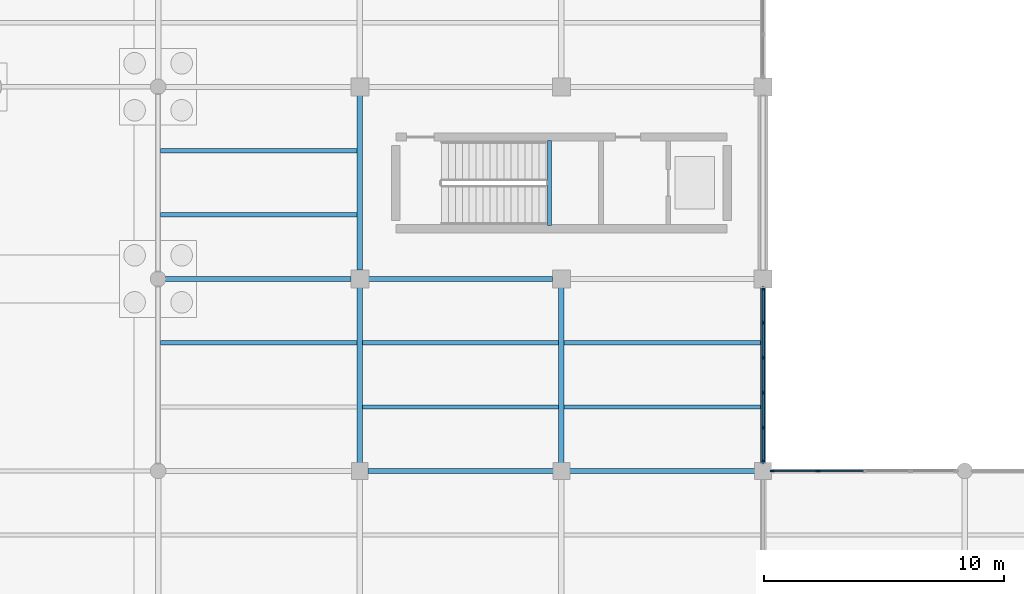
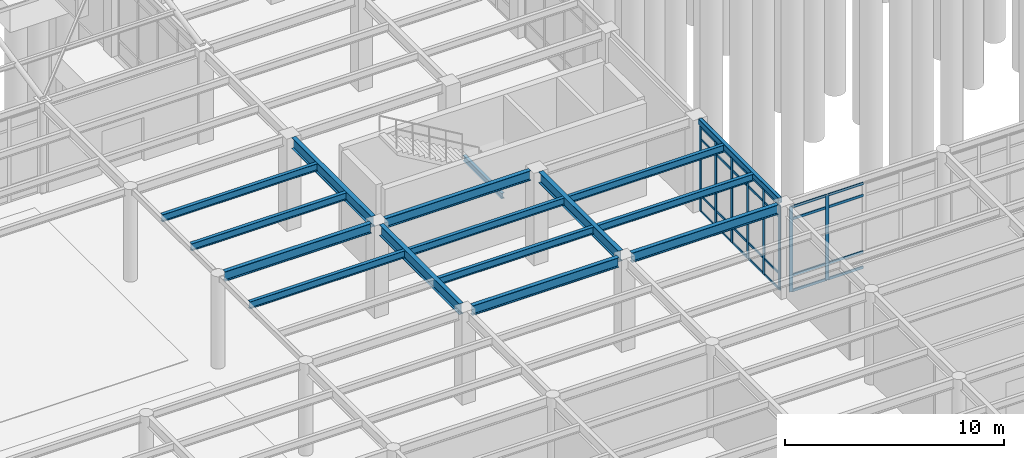
# One storey, part 46 of 138: 36 members, 16 beams, 2 elements without a shape of their own.
"""IFC4 building model written with IfcOpenShell, lengths in metres."""

import ifcopenshell
import ifcopenshell.guid

model = None  # the IFC model being written
_history = None  # IfcOwnerHistory: only IFC2X3 demands one
_inside = {}  # id of a spatial element -> (the spatial element, [elements in it])
_under = {}  # id of a project, library or spatial element -> (it, [spatial elements below it])
_declared = {}  # id of a project -> (the project, [libraries it declares])
_typed = {}  # id of a type object -> (the type object, [elements of that type])
_made_of = {}  # id of a material, layer set ... -> (it, [elements and type objects made of it])


def new_model(schema):
    """Start an empty IFC model of exactly this schema.

    Asked for "IFC4X3", IfcOpenShell would pick the latest addendum, in which some entities
    have other attributes; the version numbers below select the first issue.
    IFC2X3 requires an IfcOwnerHistory on every rooted entity: one is made here for all.
    """
    global model, _history
    if schema == "IFC4X3":
        model = ifcopenshell.file(schema_version=(4, 3, 0, 0))
    else:
        model = ifcopenshell.file(schema=schema)
    _inside.clear()
    _under.clear()
    _declared.clear()
    _typed.clear()
    _made_of.clear()
    _history = None
    if model.schema == "IFC2X3":
        org = make("IfcOrganization", Name="unknown")
        user = make(
            "IfcPersonAndOrganization",
            ThePerson=make("IfcPerson", FamilyName="unknown"),
            TheOrganization=org,
        )
        app = make(
            "IfcApplication",
            ApplicationDeveloper=org,
            Version="unknown",
            ApplicationFullName="unknown",
            ApplicationIdentifier="unknown",
        )
        _history = make(
            "IfcOwnerHistory",
            OwningUser=user,
            OwningApplication=app,
            ChangeAction="ADDED",
            CreationDate=0,
        )
    return model


def make(cls, **values):
    """One entity of the class cls with the attributes given. An attribute that is None is left unset."""
    return model.create_entity(
        cls, **{name: value for name, value in values.items() if value is not None}
    )


def rooted(cls, **values):
    """An entity with a GlobalId (a new one), such as an element, a storey or a relation."""
    return make(cls, GlobalId=ifcopenshell.guid.new(), OwnerHistory=_history, **values)


def si_unit(unit_type, name, prefix=None):
    """IfcSIUnit, for example si_unit("LENGTHUNIT", "METRE", prefix="MILLI")."""
    return make("IfcSIUnit", UnitType=unit_type, Prefix=prefix, Name=name)


def assignment(units):
    """IfcUnitAssignment: the units of a project."""
    return None if units is None else make("IfcUnitAssignment", Units=units)


def point(xyz):
    """IfcCartesianPoint."""
    return None if xyz is None else make("IfcCartesianPoint", Coordinates=xyz)


def direction(xyz):
    """IfcDirection."""
    return None if xyz is None else make("IfcDirection", DirectionRatios=xyz)


def frame(location, z_axis=None, x_axis=None):
    """IfcAxis2Placement3D, a coordinate frame: its origin and axes. An axis left out is left unset."""
    return make(
        "IfcAxis2Placement3D",
        Location=point(location),
        Axis=direction(z_axis),
        RefDirection=direction(x_axis),
    )


def frame_2d(location, x_axis=None):
    """IfcAxis2Placement2D, a coordinate frame in the plane: its origin and x axis."""
    return make(
        "IfcAxis2Placement2D", Location=point(location), RefDirection=direction(x_axis)
    )


def origin():
    """The frame at (0, 0, 0) with its axes left unset."""
    return frame((0.0, 0.0, 0.0))


def origin_2d():
    """The frame at (0, 0) in the plane with its x axis left unset."""
    return frame_2d((0.0, 0.0))


def place(relative_to, where):
    """IfcLocalPlacement: puts the frame where relative to a parent placement (None: the world)."""
    return make(
        "IfcLocalPlacement", PlacementRelTo=relative_to, RelativePlacement=where
    )


def context(
    kind, dimensions, precision=None, world=None, true_north=None, identifier=None
):
    """IfcGeometricRepresentationContext, for example the 3D "Model" context."""
    return make(
        "IfcGeometricRepresentationContext",
        ContextIdentifier=identifier,
        ContextType=kind,
        CoordinateSpaceDimension=dimensions,
        Precision=precision,
        WorldCoordinateSystem=world,
        TrueNorth=true_north,
    )


def subcontext(parent, identifier, kind, view, scale=None):
    """IfcGeometricRepresentationSubContext, for example "Body" below "Model"."""
    return make(
        "IfcGeometricRepresentationSubContext",
        ContextIdentifier=identifier,
        ContextType=kind,
        ParentContext=parent,
        TargetScale=scale,
        TargetView=view,
    )


def project(units=None, contexts=None):
    """IfcProject with its units and contexts."""
    return rooted(
        "IfcProject",
        Name="project",
        RepresentationContexts=contexts,
        UnitsInContext=assignment(units),
    )


def spatial(cls, under=None, at=None, **own):
    """A site, building, storey or space (cls), placed at a placement, below another one or the project."""
    s = rooted(cls, ObjectPlacement=at, **own)
    if under is not None:
        _under.setdefault(under.id(), (under, []))[1].append(s)
    return s


def profile(cls, at=None, kind="AREA", **sizes):
    """A parametric profile (cls). Its sizes go by their IFC names, for example OverallWidth=200.0."""
    return make(cls, ProfileType=kind, Position=at, **sizes)


def rectangle(**sizes):
    """IfcRectangleProfileDef."""
    return profile("IfcRectangleProfileDef", **sizes)


def hollow_rectangle(**sizes):
    """IfcRectangleHollowProfileDef."""
    return profile("IfcRectangleHollowProfileDef", **sizes)


def i_section(**sizes):
    """IfcIShapeProfileDef."""
    return profile("IfcIShapeProfileDef", **sizes)


def extrude(swept, where, along, depth):
    """IfcExtrudedAreaSolid: the profile swept, set in the frame where, extruded along a direction by depth."""
    return make(
        "IfcExtrudedAreaSolid",
        SweptArea=swept,
        Position=where,
        ExtrudedDirection=direction(along),
        Depth=depth,
    )


def shape(context_of_items, identifier, shape_type, items):
    """IfcShapeRepresentation: the items that make up one representation, for example the "Body"."""
    return make(
        "IfcShapeRepresentation",
        ContextOfItems=context_of_items,
        RepresentationIdentifier=identifier,
        RepresentationType=shape_type,
        Items=items,
    )


def material(Name=None, Category=None):
    """IfcMaterial."""
    return make("IfcMaterial", Name=Name, Category=Category)


def layer(
    of_material, thickness, ventilated=None, Name=None, Category=None, Priority=None
):
    """IfcMaterialLayer: one layer of a wall or slab, of a material (None: an air gap)."""
    return make(
        "IfcMaterialLayer",
        Material=of_material,
        LayerThickness=thickness,
        IsVentilated=ventilated,
        Name=Name,
        Category=Category,
        Priority=Priority,
    )


def layer_set(layers, Name=None):
    """IfcMaterialLayerSet."""
    return make("IfcMaterialLayerSet", MaterialLayers=layers, LayerSetName=Name)


def material_profile(
    of_material, cross_section, Name=None, Category=None, Priority=None
):
    """IfcMaterialProfile: a cross section and its material."""
    return make(
        "IfcMaterialProfile",
        Name=Name,
        Material=of_material,
        Profile=cross_section,
        Priority=Priority,
        Category=Category,
    )


def profile_set(profiles, Name=None, composite=None):
    """IfcMaterialProfileSet."""
    return make(
        "IfcMaterialProfileSet",
        Name=Name,
        MaterialProfiles=profiles,
        CompositeProfile=composite,
    )


def made_of(thing, what):
    """Note that an element or type object is made of a material, layer set ...; save() writes the relation."""
    if what is not None:
        _made_of.setdefault(what.id(), (what, []))[1].append(thing)
    return thing


def type_object(cls, material=None, **own):
    """A type object (cls), such as IfcWallType, which elements share."""
    return made_of(rooted(cls, **own), material)


def element(
    cls,
    number,
    at=None,
    inside=None,
    cuts=None,
    type_object=None,
    material=None,
    context=None,
    identifier="Body",
    shape_type=None,
    held_by="IfcProductDefinitionShape",
    body=None,
    shapes=None,
    **own,
):
    """One element of the class cls, such as IfcWall. Its Tag is "e" and its number.

    at: its placement. inside: the storey or other place that contains it. cuts: it is an
    opening in that element (IfcRelVoidsElement). A single representation is given by context,
    identifier, shape_type and body (its items); several are given by shapes. held_by: the class
    of the entity that holds the representations. save() writes the other relations.
    """
    e = rooted(cls, Tag="e%d" % number, ObjectPlacement=at, **own)
    if body is not None:
        shapes = [shape(context, identifier, shape_type, body)]
    if shapes is not None:
        e.Representation = make(held_by, Representations=shapes)
    if inside is not None:
        _inside.setdefault(inside.id(), (inside, []))[1].append(e)
    if cuts is not None:
        rooted(
            "IfcRelVoidsElement", RelatingBuildingElement=cuts, RelatedOpeningElement=e
        )
    if type_object is not None:
        _typed.setdefault(type_object.id(), (type_object, []))[1].append(e)
    return made_of(e, material)


def aggregate(whole, parts):
    """IfcRelAggregates: a whole, such as a stair, and the parts it consists of."""
    return rooted("IfcRelAggregates", RelatingObject=whole, RelatedObjects=parts)


def save(model, path):
    """Write the relations noted so far, then the file.

    IfcRelAggregates (storeys below a building ...), IfcRelContainedInSpatialStructure (elements
    in a storey), IfcRelDefinesByType, IfcRelAssociatesMaterial and IfcRelDeclares: one each for
    every whole, place, type object, material and project.
    """
    for whole, parts in _under.values():
        aggregate(whole, parts)
    for where, things in _inside.values():
        rooted(
            "IfcRelContainedInSpatialStructure",
            RelatedElements=things,
            RelatingStructure=where,
        )
    for kind, things in _typed.values():
        rooted("IfcRelDefinesByType", RelatedObjects=things, RelatingType=kind)
    for what, things in _made_of.values():
        rooted("IfcRelAssociatesMaterial", RelatedObjects=things, RelatingMaterial=what)
    for by, libraries in _declared.values():
        rooted("IfcRelDeclares", RelatingContext=by, RelatedDefinitions=libraries)
    model.write(path)


model = new_model("IFC4")

# Units and contexts
model_context = context("Model", 3, precision=1e-05, world=origin(), true_north=direction((0.0, 1.0)))
body_context = subcontext(model_context, "Body", "Model", "MODEL_VIEW")
ifc_project = project(units=[si_unit("LENGTHUNIT", "METRE"), si_unit("AREAUNIT", "SQUARE_METRE"), si_unit("VOLUMEUNIT", "CUBIC_METRE"), si_unit("PLANEANGLEUNIT", "RADIAN"), si_unit("MASSUNIT", "GRAM", prefix="KILO")], contexts=[model_context])

# Site, building, storey
site_placement = place(None, origin())
site = spatial("IfcSite", under=ifc_project, at=site_placement, CompositionType="ELEMENT")
building_placement = place(site_placement, origin())
building = spatial("IfcBuilding", under=site, at=building_placement, Name="Kranzveld Transit Interchange", CompositionType="ELEMENT")
storey_placement = place(building_placement, origin())
storey = spatial("IfcBuildingStorey", under=building, at=storey_placement, Name="L00", CompositionType="ELEMENT", Elevation=0.0)

# Curtain wall, members
ifc_material_1 = material(Name="Bronze-anodised thermally broken aluminium", Category="aluminium")
ifc_layer_1 = layer(ifc_material_1, 0.1650390625)
ifc_layer_set_1 = layer_set([ifc_layer_1], Name="Bronze-anodised thermally broken aluminium")
curtain_wall_type_1 = type_object("IfcCurtainWallType", Name="Sunny Court Arcade Curtain Wall CW-2", PredefinedType="USERDEFINED", material=ifc_layer_set_1)
curtain_wall_1_placement = place(storey_placement, origin())
curtain_wall_1 = element("IfcCurtainWall", 1, at=curtain_wall_1_placement, inside=storey, type_object=curtain_wall_type_1, Name="L00 Curtain Wall 15/J-15/K", ObjectType="CURTAIN WALL", PredefinedType="USERDEFINED")
ifc_material_2 = material(Name="Bronze-anodised thermally broken aluminium", Category="aluminium")
ifc_material_profile_1 = material_profile(ifc_material_2, rectangle(XDim=0.06494140625, YDim=0.1650390625, at=origin_2d()), Name="ALU MULLION 65x165")
ifc_profile_set_1 = profile_set([ifc_material_profile_1], Name="Bronze-anodised thermally broken aluminium")
member_type_1 = type_object("IfcMemberType", Name="Curtain Wall Mullion 65x165 Alu", PredefinedType="MULLION", material=ifc_profile_set_1)
member_1_placement = place(storey_placement, frame((117.60009765625, 64.382568359375, 0.0), z_axis=(0.0, 0.0, 1.0), x_axis=(-1.0, 0.0, 0.0)))
member_1 = element("IfcMember", 2, at=member_1_placement, type_object=member_type_1, Name="CW-2 mullion 1", PredefinedType="MULLION", context=body_context, shape_type="SweptSolid", body=[
    extrude(rectangle(XDim=0.06494140625, YDim=0.1650390625, at=origin_2d()), origin(), (0.0, 0.0, 1.0), 4.747314453125),
])
member_2_placement = place(storey_placement, frame((117.60009765625, 65.804931640625, 0.0), z_axis=(0.0, 0.0, 1.0), x_axis=(-1.0, 0.0, 0.0)))
member_2 = element("IfcMember", 3, at=member_2_placement, type_object=member_type_1, Name="CW-2 mullion 2", PredefinedType="MULLION", context=body_context, shape_type="SweptSolid", body=[
    extrude(rectangle(XDim=0.06494140625, YDim=0.1650390625, at=origin_2d()), origin(), (0.0, 0.0, 1.0), 4.747314453125),
])
member_3_placement = place(storey_placement, frame((117.60009765625, 67.260009765625, 0.0), z_axis=(0.0, 0.0, 1.0), x_axis=(-1.0, 0.0, 0.0)))
member_3 = element("IfcMember", 4, at=member_3_placement, type_object=member_type_1, Name="CW-2 mullion 3", PredefinedType="MULLION", context=body_context, shape_type="SweptSolid", body=[
    extrude(rectangle(XDim=0.06494140625, YDim=0.1650390625, at=origin_2d()), origin(), (0.0, 0.0, 1.0), 4.747314453125),
])
member_4_placement = place(storey_placement, frame((117.60009765625, 68.715087890625, 0.0), z_axis=(0.0, 0.0, 1.0), x_axis=(-1.0, 0.0, 0.0)))
member_4 = element("IfcMember", 5, at=member_4_placement, type_object=member_type_1, Name="CW-2 mullion 4", PredefinedType="MULLION", context=body_context, shape_type="SweptSolid", body=[
    extrude(rectangle(XDim=0.06494140625, YDim=0.1650390625, at=origin_2d()), origin(), (0.0, 0.0, 1.0), 4.747314453125),
])
member_5_placement = place(storey_placement, frame((117.60009765625, 70.169921875, 0.0), z_axis=(0.0, 0.0, 1.0), x_axis=(-1.0, 0.0, 0.0)))
member_5 = element("IfcMember", 6, at=member_5_placement, type_object=member_type_1, Name="CW-2 mullion 5", PredefinedType="MULLION", context=body_context, shape_type="SweptSolid", body=[
    extrude(rectangle(XDim=0.06494140625, YDim=0.1650390625, at=origin_2d()), origin(), (0.0, 0.0, 1.0), 4.747314453125),
])
member_6_placement = place(storey_placement, frame((117.60009765625, 71.592529296875, 0.0), z_axis=(0.0, 0.0, 1.0), x_axis=(-1.0, 0.0, 0.0)))
member_6 = element("IfcMember", 7, at=member_6_placement, type_object=member_type_1, Name="CW-2 mullion 6", PredefinedType="MULLION", context=body_context, shape_type="SweptSolid", body=[
    extrude(rectangle(XDim=0.06494140625, YDim=0.1650390625, at=origin_2d()), origin(), (0.0, 0.0, 1.0), 4.747314453125),
])

ifc_material_3 = material(Name="Bronze-anodised thermally broken aluminium", Category="aluminium")
ifc_layer_2 = layer(ifc_material_3, 0.18505859375)
ifc_layer_set_2 = layer_set([ifc_layer_2], Name="Bronze-anodised thermally broken aluminium")
curtain_wall_type_2 = type_object("IfcCurtainWallType", Name="Control Crown Observation Facade CW-5", PredefinedType="USERDEFINED", material=ifc_layer_set_2)
curtain_wall_2_placement = place(storey_placement, origin())
curtain_wall_2 = element("IfcCurtainWall", 8, at=curtain_wall_2_placement, inside=storey, type_object=curtain_wall_type_2, Name="L00 Curtain Wall 15/J-16/J", ObjectType="CURTAIN WALL", PredefinedType="USERDEFINED")
ifc_material_4 = material(Name="Bronze-anodised thermally broken aluminium", Category="aluminium")
ifc_material_profile_2 = material_profile(ifc_material_4, rectangle(XDim=0.06494140625, YDim=0.179931640625, at=origin_2d()), Name="ALU MULLION 65x180")
ifc_profile_set_2 = profile_set([ifc_material_profile_2], Name="Bronze-anodised thermally broken aluminium")
member_type_2 = type_object("IfcMemberType", Name="Curtain Wall Mullion 65x180 Alu", PredefinedType="MULLION", material=ifc_profile_set_2)
member_7_placement = place(storey_placement, frame((117.982421875, 64.0, 0.0), z_axis=(0.0, 0.0, 1.0), x_axis=(0.0, 1.0, 0.0)))
member_7 = element("IfcMember", 9, at=member_7_placement, type_object=member_type_2, Name="CW-5 mullion 1", PredefinedType="MULLION", context=body_context, shape_type="SweptSolid", body=[
    extrude(rectangle(XDim=0.06494140625, YDim=0.179931640625, at=origin_2d()), origin(), (0.0, 0.0, 1.0), 4.740478515625),
])
member_8_placement = place(storey_placement, frame((119.88134765625, 64.0, 0.0), z_axis=(0.0, 0.0, 1.0), x_axis=(0.0, 1.0, 0.0)))
member_8 = element("IfcMember", 10, at=member_8_placement, type_object=member_type_2, Name="CW-5 mullion 2", PredefinedType="MULLION", context=body_context, shape_type="SweptSolid", body=[
    extrude(rectangle(XDim=0.06494140625, YDim=0.179931640625, at=origin_2d()), origin(), (0.0, 0.0, 1.0), 4.740478515625),
])

# Member
ifc_material_5 = material(Name="Bronze-anodised thermally broken aluminium", Category="aluminium")
ifc_material_profile_3 = material_profile(ifc_material_5, rectangle(XDim=0.06005859375, YDim=0.125, at=origin_2d()), Name="ALU TRANSOM 60x125")
ifc_profile_set_3 = profile_set([ifc_material_profile_3], Name="Bronze-anodised thermally broken aluminium")
member_type_3 = type_object("IfcMemberType", Name="Curtain Wall Transom 60x125 Alu", PredefinedType="USERDEFINED", material=ifc_profile_set_3)
member_9_placement = place(storey_placement, frame((117.60009765625, 64.4150390625, 0.030029296875), z_axis=(0.0, 1.0, 0.0), x_axis=(-1.0, 0.0, 0.0)))
member_9 = element("IfcMember", 11, at=member_9_placement, type_object=member_type_3, Name="CW-2 transom 1.1", ObjectType="TRANSOM", PredefinedType="USERDEFINED", context=body_context, shape_type="SweptSolid", body=[
    extrude(rectangle(XDim=0.06005859375, YDim=0.125, at=origin_2d()), origin(), (0.0, 0.0, 1.0), 1.357421875),
])

member_10_placement = place(storey_placement, frame((117.60009765625, 64.4150390625, 0.89990234375), z_axis=(0.0, 1.0, 0.0), x_axis=(-1.0, 0.0, 0.0)))
member_10 = element("IfcMember", 12, at=member_10_placement, type_object=member_type_3, Name="CW-2 transom 1.2", ObjectType="TRANSOM", PredefinedType="USERDEFINED", context=body_context, shape_type="SweptSolid", body=[
    extrude(rectangle(XDim=0.06005859375, YDim=0.125, at=origin_2d()), origin(), (0.0, 0.0, 1.0), 1.357421875),
])

member_11_placement = place(storey_placement, frame((117.60009765625, 64.4150390625, 4.04736328125), z_axis=(0.0, 1.0, 0.0), x_axis=(-1.0, 0.0, 0.0)))
member_11 = element("IfcMember", 13, at=member_11_placement, type_object=member_type_3, Name="CW-2 transom 1.3", ObjectType="TRANSOM", PredefinedType="USERDEFINED", context=body_context, shape_type="SweptSolid", body=[
    extrude(rectangle(XDim=0.06005859375, YDim=0.125, at=origin_2d()), origin(), (0.0, 0.0, 1.0), 1.357421875),
])

member_12_placement = place(storey_placement, frame((117.60009765625, 64.4150390625, 4.71728515625), z_axis=(0.0, 1.0, 0.0), x_axis=(-1.0, 0.0, 0.0)))
member_12 = element("IfcMember", 14, at=member_12_placement, type_object=member_type_3, Name="CW-2 transom 1.4", ObjectType="TRANSOM", PredefinedType="USERDEFINED", context=body_context, shape_type="SweptSolid", body=[
    extrude(rectangle(XDim=0.06005859375, YDim=0.125, at=origin_2d()), origin(), (0.0, 0.0, 1.0), 1.357421875),
])

member_13_placement = place(storey_placement, frame((117.60009765625, 65.83740234375, 0.030029296875), z_axis=(0.0, 1.0, 0.0), x_axis=(-1.0, 0.0, 0.0)))
member_13 = element("IfcMember", 15, at=member_13_placement, type_object=member_type_3, Name="CW-2 transom 2.1", ObjectType="TRANSOM", PredefinedType="USERDEFINED", context=body_context, shape_type="SweptSolid", body=[
    extrude(rectangle(XDim=0.06005859375, YDim=0.125, at=origin_2d()), origin(), (0.0, 0.0, 1.0), 1.39013671875),
])

member_14_placement = place(storey_placement, frame((117.60009765625, 65.83740234375, 0.89990234375), z_axis=(0.0, 1.0, 0.0), x_axis=(-1.0, 0.0, 0.0)))
member_14 = element("IfcMember", 16, at=member_14_placement, type_object=member_type_3, Name="CW-2 transom 2.2", ObjectType="TRANSOM", PredefinedType="USERDEFINED", context=body_context, shape_type="SweptSolid", body=[
    extrude(rectangle(XDim=0.06005859375, YDim=0.125, at=origin_2d()), origin(), (0.0, 0.0, 1.0), 1.39013671875),
])

member_15_placement = place(storey_placement, frame((117.60009765625, 65.83740234375, 4.04736328125), z_axis=(0.0, 1.0, 0.0), x_axis=(-1.0, 0.0, 0.0)))
member_15 = element("IfcMember", 17, at=member_15_placement, type_object=member_type_3, Name="CW-2 transom 2.3", ObjectType="TRANSOM", PredefinedType="USERDEFINED", context=body_context, shape_type="SweptSolid", body=[
    extrude(rectangle(XDim=0.06005859375, YDim=0.125, at=origin_2d()), origin(), (0.0, 0.0, 1.0), 1.39013671875),
])

member_16_placement = place(storey_placement, frame((117.60009765625, 65.83740234375, 4.71728515625), z_axis=(0.0, 1.0, 0.0), x_axis=(-1.0, 0.0, 0.0)))
member_16 = element("IfcMember", 18, at=member_16_placement, type_object=member_type_3, Name="CW-2 transom 2.4", ObjectType="TRANSOM", PredefinedType="USERDEFINED", context=body_context, shape_type="SweptSolid", body=[
    extrude(rectangle(XDim=0.06005859375, YDim=0.125, at=origin_2d()), origin(), (0.0, 0.0, 1.0), 1.39013671875),
])

member_17_placement = place(storey_placement, frame((117.60009765625, 67.29248046875, 0.030029296875), z_axis=(0.0, 1.0, 0.0), x_axis=(-1.0, 0.0, 0.0)))
member_17 = element("IfcMember", 19, at=member_17_placement, type_object=member_type_3, Name="CW-2 transom 3.1", ObjectType="TRANSOM", PredefinedType="USERDEFINED", context=body_context, shape_type="SweptSolid", body=[
    extrude(rectangle(XDim=0.06005859375, YDim=0.125, at=origin_2d()), origin(), (0.0, 0.0, 1.0), 1.39013671875),
])

member_18_placement = place(storey_placement, frame((117.60009765625, 67.29248046875, 0.89990234375), z_axis=(0.0, 1.0, 0.0), x_axis=(-1.0, 0.0, 0.0)))
member_18 = element("IfcMember", 20, at=member_18_placement, type_object=member_type_3, Name="CW-2 transom 3.2", ObjectType="TRANSOM", PredefinedType="USERDEFINED", context=body_context, shape_type="SweptSolid", body=[
    extrude(rectangle(XDim=0.06005859375, YDim=0.125, at=origin_2d()), origin(), (0.0, 0.0, 1.0), 1.39013671875),
])

member_19_placement = place(storey_placement, frame((117.60009765625, 67.29248046875, 4.04736328125), z_axis=(0.0, 1.0, 0.0), x_axis=(-1.0, 0.0, 0.0)))
member_19 = element("IfcMember", 21, at=member_19_placement, type_object=member_type_3, Name="CW-2 transom 3.3", ObjectType="TRANSOM", PredefinedType="USERDEFINED", context=body_context, shape_type="SweptSolid", body=[
    extrude(rectangle(XDim=0.06005859375, YDim=0.125, at=origin_2d()), origin(), (0.0, 0.0, 1.0), 1.39013671875),
])

member_20_placement = place(storey_placement, frame((117.60009765625, 67.29248046875, 4.71728515625), z_axis=(0.0, 1.0, 0.0), x_axis=(-1.0, 0.0, 0.0)))
member_20 = element("IfcMember", 22, at=member_20_placement, type_object=member_type_3, Name="CW-2 transom 3.4", ObjectType="TRANSOM", PredefinedType="USERDEFINED", context=body_context, shape_type="SweptSolid", body=[
    extrude(rectangle(XDim=0.06005859375, YDim=0.125, at=origin_2d()), origin(), (0.0, 0.0, 1.0), 1.39013671875),
])

member_21_placement = place(storey_placement, frame((117.60009765625, 68.74755859375, 0.030029296875), z_axis=(0.0, 1.0, 0.0), x_axis=(-1.0, 0.0, 0.0)))
member_21 = element("IfcMember", 23, at=member_21_placement, type_object=member_type_3, Name="CW-2 transom 4.1", ObjectType="TRANSOM", PredefinedType="USERDEFINED", context=body_context, shape_type="SweptSolid", body=[
    extrude(rectangle(XDim=0.06005859375, YDim=0.125, at=origin_2d()), origin(), (0.0, 0.0, 1.0), 1.389892578125),
])

member_22_placement = place(storey_placement, frame((117.60009765625, 68.74755859375, 0.89990234375), z_axis=(0.0, 1.0, 0.0), x_axis=(-1.0, 0.0, 0.0)))
member_22 = element("IfcMember", 24, at=member_22_placement, type_object=member_type_3, Name="CW-2 transom 4.2", ObjectType="TRANSOM", PredefinedType="USERDEFINED", context=body_context, shape_type="SweptSolid", body=[
    extrude(rectangle(XDim=0.06005859375, YDim=0.125, at=origin_2d()), origin(), (0.0, 0.0, 1.0), 1.389892578125),
])

member_23_placement = place(storey_placement, frame((117.60009765625, 68.74755859375, 4.04736328125), z_axis=(0.0, 1.0, 0.0), x_axis=(-1.0, 0.0, 0.0)))
member_23 = element("IfcMember", 25, at=member_23_placement, type_object=member_type_3, Name="CW-2 transom 4.3", ObjectType="TRANSOM", PredefinedType="USERDEFINED", context=body_context, shape_type="SweptSolid", body=[
    extrude(rectangle(XDim=0.06005859375, YDim=0.125, at=origin_2d()), origin(), (0.0, 0.0, 1.0), 1.389892578125),
])

member_24_placement = place(storey_placement, frame((117.60009765625, 68.74755859375, 4.71728515625), z_axis=(0.0, 1.0, 0.0), x_axis=(-1.0, 0.0, 0.0)))
member_24 = element("IfcMember", 26, at=member_24_placement, type_object=member_type_3, Name="CW-2 transom 4.4", ObjectType="TRANSOM", PredefinedType="USERDEFINED", context=body_context, shape_type="SweptSolid", body=[
    extrude(rectangle(XDim=0.06005859375, YDim=0.125, at=origin_2d()), origin(), (0.0, 0.0, 1.0), 1.389892578125),
])

member_25_placement = place(storey_placement, frame((117.60009765625, 70.202392578125, 0.030029296875), z_axis=(0.0, 1.0, 0.0), x_axis=(-1.0, 0.0, 0.0)))
member_25 = element("IfcMember", 27, at=member_25_placement, type_object=member_type_3, Name="CW-2 transom 5.1", ObjectType="TRANSOM", PredefinedType="USERDEFINED", context=body_context, shape_type="SweptSolid", body=[
    extrude(rectangle(XDim=0.06005859375, YDim=0.125, at=origin_2d()), origin(), (0.0, 0.0, 1.0), 1.357666015625),
])

member_26_placement = place(storey_placement, frame((117.60009765625, 70.202392578125, 0.89990234375), z_axis=(0.0, 1.0, 0.0), x_axis=(-1.0, 0.0, 0.0)))
member_26 = element("IfcMember", 28, at=member_26_placement, type_object=member_type_3, Name="CW-2 transom 5.2", ObjectType="TRANSOM", PredefinedType="USERDEFINED", context=body_context, shape_type="SweptSolid", body=[
    extrude(rectangle(XDim=0.06005859375, YDim=0.125, at=origin_2d()), origin(), (0.0, 0.0, 1.0), 1.357666015625),
])

member_27_placement = place(storey_placement, frame((117.60009765625, 70.202392578125, 4.04736328125), z_axis=(0.0, 1.0, 0.0), x_axis=(-1.0, 0.0, 0.0)))
member_27 = element("IfcMember", 29, at=member_27_placement, type_object=member_type_3, Name="CW-2 transom 5.3", ObjectType="TRANSOM", PredefinedType="USERDEFINED", context=body_context, shape_type="SweptSolid", body=[
    extrude(rectangle(XDim=0.06005859375, YDim=0.125, at=origin_2d()), origin(), (0.0, 0.0, 1.0), 1.357666015625),
])

member_28_placement = place(storey_placement, frame((117.60009765625, 70.202392578125, 4.71728515625), z_axis=(0.0, 1.0, 0.0), x_axis=(-1.0, 0.0, 0.0)))
member_28 = element("IfcMember", 30, at=member_28_placement, type_object=member_type_3, Name="CW-2 transom 5.4", ObjectType="TRANSOM", PredefinedType="USERDEFINED", context=body_context, shape_type="SweptSolid", body=[
    extrude(rectangle(XDim=0.06005859375, YDim=0.125, at=origin_2d()), origin(), (0.0, 0.0, 1.0), 1.357666015625),
])

aggregate(curtain_wall_1, [member_1, member_2, member_3, member_4, member_5, member_6, member_9, member_10, member_11, member_12, member_13, member_14, member_15, member_16, member_17, member_18, member_19, member_20, member_21, member_22, member_23, member_24, member_25, member_26, member_27, member_28])

ifc_material_6 = material(Name="Bronze-anodised thermally broken aluminium", Category="aluminium")
ifc_material_profile_4 = material_profile(ifc_material_6, rectangle(XDim=0.06494140625, YDim=0.139892578125, at=origin_2d()), Name="ALU TRANSOM 65x140")
ifc_profile_set_4 = profile_set([ifc_material_profile_4], Name="Bronze-anodised thermally broken aluminium")
member_type_4 = type_object("IfcMemberType", Name="Curtain Wall Transom 65x140 Alu", PredefinedType="USERDEFINED", material=ifc_profile_set_4)
member_29_placement = place(storey_placement, frame((118.014892578125, 64.0, 0.032470703125), z_axis=(1.0, 0.0, 0.0), x_axis=(0.0, 1.0, 0.0)))
member_29 = element("IfcMember", 31, at=member_29_placement, type_object=member_type_4, Name="CW-5 transom 1.1", ObjectType="TRANSOM", PredefinedType="USERDEFINED", context=body_context, shape_type="SweptSolid", body=[
    extrude(rectangle(XDim=0.06494140625, YDim=0.139892578125, at=origin_2d()), origin(), (0.0, 0.0, 1.0), 1.833740234375),
])

member_30_placement = place(storey_placement, frame((118.014892578125, 64.0, 0.89990234375), z_axis=(1.0, 0.0, 0.0), x_axis=(0.0, 1.0, 0.0)))
member_30 = element("IfcMember", 32, at=member_30_placement, type_object=member_type_4, Name="CW-5 transom 1.2", ObjectType="TRANSOM", PredefinedType="USERDEFINED", context=body_context, shape_type="SweptSolid", body=[
    extrude(rectangle(XDim=0.06494140625, YDim=0.139892578125, at=origin_2d()), origin(), (0.0, 0.0, 1.0), 1.833740234375),
])

member_31_placement = place(storey_placement, frame((118.014892578125, 64.0, 4.04052734375), z_axis=(1.0, 0.0, 0.0), x_axis=(0.0, 1.0, 0.0)))
member_31 = element("IfcMember", 33, at=member_31_placement, type_object=member_type_4, Name="CW-5 transom 1.3", ObjectType="TRANSOM", PredefinedType="USERDEFINED", context=body_context, shape_type="SweptSolid", body=[
    extrude(rectangle(XDim=0.06494140625, YDim=0.139892578125, at=origin_2d()), origin(), (0.0, 0.0, 1.0), 1.833740234375),
])

member_32_placement = place(storey_placement, frame((118.014892578125, 64.0, 4.7080078125), z_axis=(1.0, 0.0, 0.0), x_axis=(0.0, 1.0, 0.0)))
member_32 = element("IfcMember", 34, at=member_32_placement, type_object=member_type_4, Name="CW-5 transom 1.4", ObjectType="TRANSOM", PredefinedType="USERDEFINED", context=body_context, shape_type="SweptSolid", body=[
    extrude(rectangle(XDim=0.06494140625, YDim=0.139892578125, at=origin_2d()), origin(), (0.0, 0.0, 1.0), 1.833740234375),
])

member_33_placement = place(storey_placement, frame((119.913818359375, 64.0, 0.032470703125), z_axis=(1.0, 0.0, 0.0), x_axis=(0.0, 1.0, 0.0)))
member_33 = element("IfcMember", 35, at=member_33_placement, type_object=member_type_4, Name="CW-5 transom 2.1", ObjectType="TRANSOM", PredefinedType="USERDEFINED", context=body_context, shape_type="SweptSolid", body=[
    extrude(rectangle(XDim=0.06494140625, YDim=0.139892578125, at=origin_2d()), origin(), (0.0, 0.0, 1.0), 1.8662109375),
])

member_34_placement = place(storey_placement, frame((119.913818359375, 64.0, 0.89990234375), z_axis=(1.0, 0.0, 0.0), x_axis=(0.0, 1.0, 0.0)))
member_34 = element("IfcMember", 36, at=member_34_placement, type_object=member_type_4, Name="CW-5 transom 2.2", ObjectType="TRANSOM", PredefinedType="USERDEFINED", context=body_context, shape_type="SweptSolid", body=[
    extrude(rectangle(XDim=0.06494140625, YDim=0.139892578125, at=origin_2d()), origin(), (0.0, 0.0, 1.0), 1.8662109375),
])

member_35_placement = place(storey_placement, frame((119.913818359375, 64.0, 4.04052734375), z_axis=(1.0, 0.0, 0.0), x_axis=(0.0, 1.0, 0.0)))
member_35 = element("IfcMember", 37, at=member_35_placement, type_object=member_type_4, Name="CW-5 transom 2.3", ObjectType="TRANSOM", PredefinedType="USERDEFINED", context=body_context, shape_type="SweptSolid", body=[
    extrude(rectangle(XDim=0.06494140625, YDim=0.139892578125, at=origin_2d()), origin(), (0.0, 0.0, 1.0), 1.8662109375),
])

member_36_placement = place(storey_placement, frame((119.913818359375, 64.0, 4.7080078125), z_axis=(1.0, 0.0, 0.0), x_axis=(0.0, 1.0, 0.0)))
member_36 = element("IfcMember", 38, at=member_36_placement, type_object=member_type_4, Name="CW-5 transom 2.4", ObjectType="TRANSOM", PredefinedType="USERDEFINED", context=body_context, shape_type="SweptSolid", body=[
    extrude(rectangle(XDim=0.06494140625, YDim=0.139892578125, at=origin_2d()), origin(), (0.0, 0.0, 1.0), 1.8662109375),
])

aggregate(curtain_wall_2, [member_7, member_8, member_29, member_30, member_31, member_32, member_33, member_34, member_35, member_36])

# Beams
ifc_material_7 = material(Name="Steel S355JR", Category="steel")
ifc_material_profile_5 = material_profile(ifc_material_7, hollow_rectangle(XDim=0.199951171875, YDim=0.300048828125, WallThickness=0.010009765625, InnerFilletRadius=0.014892578125, OuterFilletRadius=0.02490234375, at=origin_2d()), Name="RHS 300x200x10")
ifc_profile_set_5 = profile_set([ifc_material_profile_5], Name="Steel S355JR")
beam_type_1 = type_object("IfcBeamType", Name="Edge Spandrel RHS 300x200x10 S355JR", PredefinedType="SPANDREL", material=ifc_profile_set_5)
beam_1_placement = place(storey_placement, frame((117.60009765625, 64.340087890625, 5.0), z_axis=(0.0, 1.0, 0.0), x_axis=(-1.0, 0.0, 0.0)))
element("IfcBeam", 39, at=beam_1_placement, inside=storey, type_object=beam_type_1, Name="L00 Girder 15/J-K", PredefinedType="SPANDREL", context=body_context, shape_type="SweptSolid", body=[
    extrude(hollow_rectangle(XDim=0.199951171875, YDim=0.300048828125, WallThickness=0.010009765625, InnerFilletRadius=0.014892578125, OuterFilletRadius=0.02490234375, at=origin_2d()), origin(), (0.0, 0.0, 1.0), 7.294921875),
])
ifc_material_8 = material(Name="Steel S355JR", Category="steel")
ifc_material_profile_6 = material_profile(ifc_material_8, i_section(OverallWidth=0.177734375, OverallDepth=0.402587890625, WebThickness=0.0078125, FlangeThickness=0.010986328125, FilletRadius=0.01025390625, at=origin_2d()), Name="UB 406x178x54")
ifc_profile_set_6 = profile_set([ifc_material_profile_6], Name="Steel S355JR")
beam_type_2 = type_object("IfcBeamType", Name="Floor Joist UB 406x178x54 S355JR", PredefinedType="JOIST", material=ifc_profile_set_6)
for number, where, z_axis, x_axis, name in (
    (40, (92.501953125, 69.333251953125, 4.94873046875), (1.0, 0.0, 0.0), (0.0, 1.0, 0.0), "L00 Secondary Joist 12-13/J.2"),
    (41, (92.501953125, 74.666748046875, 4.94873046875), (1.0, 0.0, 0.0), (0.0, 1.0, 0.0), "L00 Secondary Joist 12-13/K.1"),
    (42, (92.501953125, 77.333251953125, 4.94873046875), (1.0, 0.0, 0.0), (0.0, 1.0, 0.0), "L00 Secondary Joist 12-13/K.2"),
):
    element("IfcBeam", number, at=place(storey_placement, frame(where, z_axis=z_axis, x_axis=x_axis)), inside=storey, type_object=beam_type_2, Name=name, PredefinedType="JOIST", context=body_context, shape_type="SweptSolid", body=[
        extrude(i_section(OverallWidth=0.177734375, OverallDepth=0.402587890625, WebThickness=0.0078125, FlangeThickness=0.010986328125, FilletRadius=0.01025390625, at=origin_2d()), origin(), (0.0, 0.0, 1.0), 8.181884765625),
    ])
for number, where, z_axis, x_axis, name in (
    (43, (100.916015625, 66.666748046875, 4.94873046875), (1.0, 0.0, 0.0), (0.0, 1.0, 0.0), "L00 Secondary Joist 13-14/J.1"),
    (44, (100.916015625, 69.333251953125, 4.94873046875), (1.0, 0.0, 0.0), (0.0, 1.0, 0.0), "L00 Secondary Joist 13-14/J.2"),
):
    element("IfcBeam", number, at=place(storey_placement, frame(where, z_axis=z_axis, x_axis=x_axis)), inside=storey, type_object=beam_type_2, Name=name, PredefinedType="JOIST", context=body_context, shape_type="SweptSolid", body=[
        extrude(i_section(OverallWidth=0.177734375, OverallDepth=0.402587890625, WebThickness=0.0078125, FlangeThickness=0.010986328125, FilletRadius=0.01025390625, at=origin_2d()), origin(), (0.0, 0.0, 1.0), 8.16796875),
    ])
for number, where, z_axis, x_axis, name in (
    (45, (109.316162109375, 66.666748046875, 4.94873046875), (1.0, 0.0, 0.0), (0.0, 1.0, 0.0), "L00 Secondary Joist 14-15/J.1"),
    (46, (109.316162109375, 69.333251953125, 4.94873046875), (1.0, 0.0, 0.0), (0.0, 1.0, 0.0), "L00 Secondary Joist 14-15/J.2"),
):
    element("IfcBeam", number, at=place(storey_placement, frame(where, z_axis=z_axis, x_axis=x_axis)), inside=storey, type_object=beam_type_2, Name=name, PredefinedType="JOIST", context=body_context, shape_type="SweptSolid", body=[
        extrude(i_section(OverallWidth=0.177734375, OverallDepth=0.402587890625, WebThickness=0.0078125, FlangeThickness=0.010986328125, FilletRadius=0.01025390625, at=origin_2d()), origin(), (0.0, 0.0, 1.0), 8.181884765625),
    ])
ifc_material_9 = material(Name="Steel S355JR", Category="steel")
ifc_material_profile_7 = material_profile(ifc_material_9, i_section(OverallWidth=0.2119140625, OverallDepth=0.54443359375, WebThickness=0.0126953125, FlangeThickness=0.021240234375, FilletRadius=0.0126953125, at=origin_2d()), Name="UB 533x210x122")
ifc_profile_set_7 = profile_set([ifc_material_profile_7], Name="Steel S355JR")
beam_type_3 = type_object("IfcBeamType", Name="Girder Steel UB 533x210x122 S355JR", PredefinedType="BEAM", material=ifc_profile_set_7)
beam_2_placement = place(storey_placement, frame((101.139892578125, 64.0, 4.877685546875), z_axis=(1.0, 0.0, 0.0), x_axis=(0.0, 1.0, 0.0)))
element("IfcBeam", 47, at=beam_2_placement, inside=storey, type_object=beam_type_3, Name="L00 Girder 13-14/J", PredefinedType="BEAM", context=body_context, shape_type="SweptSolid", body=[
    extrude(i_section(OverallWidth=0.2119140625, OverallDepth=0.54443359375, WebThickness=0.0126953125, FlangeThickness=0.021240234375, FilletRadius=0.0126953125, at=origin_2d()), origin(), (0.0, 0.0, 1.0), 7.72021484375),
])
for number, where, z_axis, x_axis, name in (
    (48, (109.5400390625, 64.0, 4.877685546875), (1.0, 0.0, 0.0), (0.0, 1.0, 0.0), "L00 Girder 14-15/J"),
    (49, (92.715087890625, 72.0, 4.877685546875), (1.0, 0.0, 0.0), (0.0, 1.0, 0.0), "L00 Girder 12-13/K"),
):
    element("IfcBeam", number, at=place(storey_placement, frame(where, z_axis=z_axis, x_axis=x_axis)), inside=storey, type_object=beam_type_3, Name=name, PredefinedType="BEAM", context=body_context, shape_type="SweptSolid", body=[
        extrude(i_section(OverallWidth=0.2119140625, OverallDepth=0.54443359375, WebThickness=0.0126953125, FlangeThickness=0.021240234375, FilletRadius=0.0126953125, at=origin_2d()), origin(), (0.0, 0.0, 1.0), 7.719970703125),
    ])
beam_3_placement = place(storey_placement, frame((101.1650390625, 72.0, 4.877685546875), z_axis=(1.0, 0.0, 0.0), x_axis=(0.0, 1.0, 0.0)))
element("IfcBeam", 50, at=beam_3_placement, inside=storey, type_object=beam_type_3, Name="L00 Girder 13-14/K", PredefinedType="BEAM", context=body_context, shape_type="SweptSolid", body=[
    extrude(i_section(OverallWidth=0.2119140625, OverallDepth=0.54443359375, WebThickness=0.0126953125, FlangeThickness=0.021240234375, FilletRadius=0.0126953125, at=origin_2d()), origin(), (0.0, 0.0, 1.0), 7.669921875),
])
ifc_material_10 = material(Name="Steel S355JR", Category="steel")
ifc_material_profile_8 = material_profile(ifc_material_10, i_section(OverallWidth=0.228271484375, OverallDepth=0.607666015625, WebThickness=0.010986328125, FlangeThickness=0.017333984375, FilletRadius=0.0126953125, at=origin_2d()), Name="UB 610x229x113")
ifc_profile_set_8 = profile_set([ifc_material_profile_8], Name="Steel S355JR")
beam_type_4 = type_object("IfcBeamType", Name="Girder Steel UB 610x229x113 S355JR", PredefinedType="BEAM", material=ifc_profile_set_8)
beam_4_placement = place(storey_placement, frame((100.800048828125, 64.340087890625, 4.84619140625), z_axis=(0.0, 1.0, 0.0), x_axis=(-1.0, 0.0, 0.0)))
element("IfcBeam", 51, at=beam_4_placement, inside=storey, type_object=beam_type_4, Name="L00 Girder 13/J-K", PredefinedType="BEAM", context=body_context, shape_type="SweptSolid", body=[
    extrude(i_section(OverallWidth=0.228271484375, OverallDepth=0.607666015625, WebThickness=0.010986328125, FlangeThickness=0.017333984375, FilletRadius=0.0126953125, at=origin_2d()), origin(), (0.0, 0.0, 1.0), 7.294921875),
])
beam_5_placement = place(storey_placement, frame((100.800048828125, 72.364990234375, 4.84619140625), z_axis=(0.0, 1.0, 0.0), x_axis=(-1.0, 0.0, 0.0)))
element("IfcBeam", 52, at=beam_5_placement, inside=storey, type_object=beam_type_4, Name="L00 Girder 13/K-L", PredefinedType="BEAM", context=body_context, shape_type="SweptSolid", body=[
    extrude(i_section(OverallWidth=0.228271484375, OverallDepth=0.607666015625, WebThickness=0.010986328125, FlangeThickness=0.017333984375, FilletRadius=0.0126953125, at=origin_2d()), origin(), (0.0, 0.0, 1.0), 7.27001953125),
])
beam_6_placement = place(storey_placement, frame((109.199951171875, 64.340087890625, 4.84619140625), z_axis=(0.0, 1.0, 0.0), x_axis=(-1.0, 0.0, 0.0)))
element("IfcBeam", 53, at=beam_6_placement, inside=storey, type_object=beam_type_4, Name="L00 Girder 14/J-K", PredefinedType="BEAM", context=body_context, shape_type="SweptSolid", body=[
    extrude(i_section(OverallWidth=0.228271484375, OverallDepth=0.607666015625, WebThickness=0.010986328125, FlangeThickness=0.017333984375, FilletRadius=0.0126953125, at=origin_2d()), origin(), (0.0, 0.0, 1.0), 7.294921875),
])
ifc_material_11 = material(Name="Steel S355JR", Category="steel")
ifc_material_profile_9 = material_profile(ifc_material_11, i_section(OverallWidth=0.165771484375, OverallDepth=0.306640625, WebThickness=0.006591796875, FlangeThickness=0.01171875, FilletRadius=0.0087890625, at=origin_2d()), Name="UB 305x165x46")
ifc_profile_set_9 = profile_set([ifc_material_profile_9], Name="Steel S355JR")
beam_type_5 = type_object("IfcBeamType", Name="Roof Joist UB 305x165x46 S355JR", PredefinedType="JOIST", material=ifc_profile_set_9)
beam_7_placement = place(storey_placement, frame((108.7099609375, 74.22998046875, 2.36669921875), z_axis=(0.0, 1.0, 0.0), x_axis=(-1.0, 0.0, 0.0)))
element("IfcBeam", 54, at=beam_7_placement, inside=storey, type_object=beam_type_5, Name="L00 ST-V4A Half-Landing Support Beam", PredefinedType="BEAM", context=body_context, shape_type="SweptSolid", body=[
    extrude(i_section(OverallWidth=0.165771484375, OverallDepth=0.306640625, WebThickness=0.006591796875, FlangeThickness=0.01171875, FilletRadius=0.0087890625, at=origin_2d()), origin(), (0.0, 0.0, 1.0), 3.5400390625),
])

save(model, "model.ifc")
